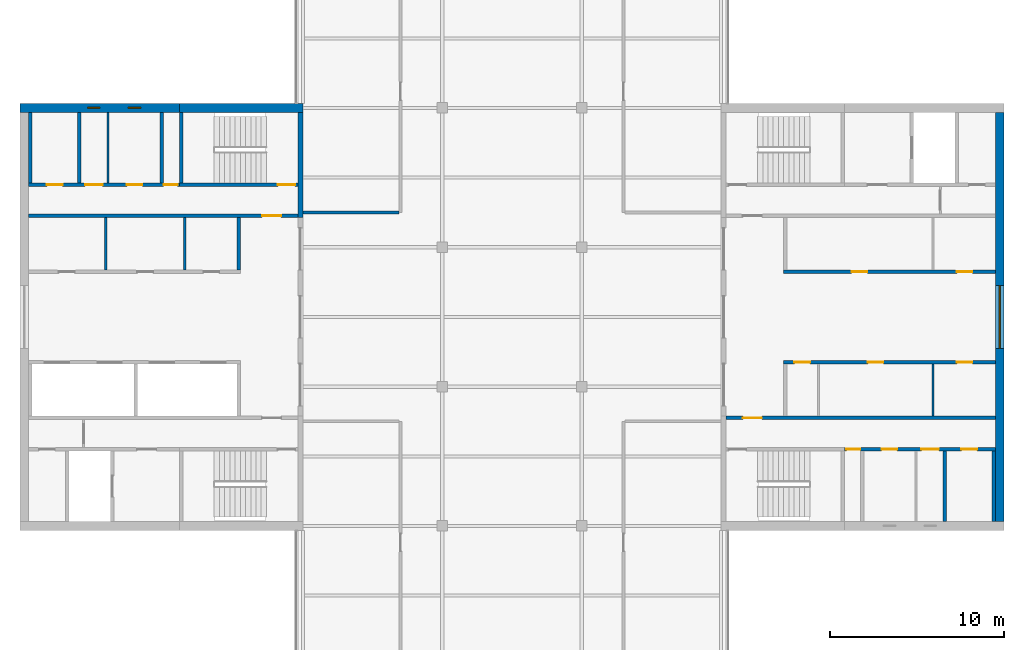
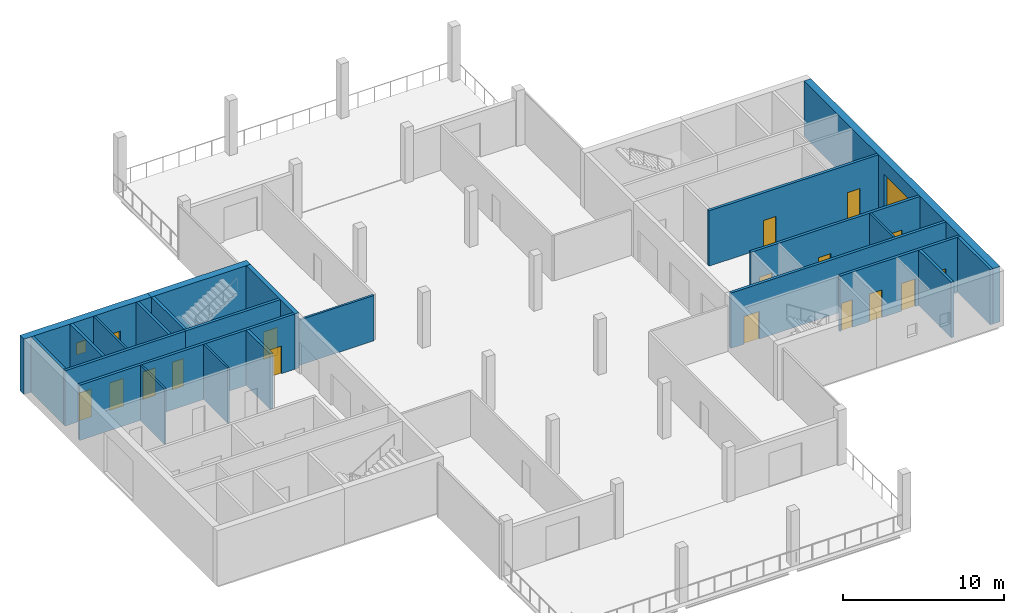
# One storey, part 9 of 12: 23 walls, 16 doors, 3 windows, 19 openings.
"""IFC4 building model written with IfcOpenShell, lengths in metres."""

from ifc_helpers import new_model, si_unit, direction, frame, frame_2d, origin, place, context, subcontext, project, spatial, rectangle, extrude, material, layer, layer_set, constituent, constituent_set, type_object, element, fill, save


model = new_model("IFC4")

# Units and contexts
model_context = context("Model", 3, precision=1e-05, world=origin(), true_north=direction((0.0, 1.0)))
body_context = subcontext(model_context, "Body", "Model", "MODEL_VIEW")
ifc_project = project(units=[si_unit("LENGTHUNIT", "METRE"), si_unit("AREAUNIT", "SQUARE_METRE"), si_unit("VOLUMEUNIT", "CUBIC_METRE"), si_unit("PLANEANGLEUNIT", "RADIAN"), si_unit("MASSUNIT", "GRAM", prefix="KILO")], contexts=[model_context])

# Site, building, storey
site_placement = place(None, origin())
site = spatial("IfcSite", under=ifc_project, at=site_placement, CompositionType="ELEMENT")
building_placement = place(site_placement, origin())
building = spatial("IfcBuilding", under=site, at=building_placement, Name="Crosswind Convention Tower", CompositionType="ELEMENT")
storey_placement = place(building_placement, frame((0.0, 0.0, 328.10009765625)))
storey = spatial("IfcBuildingStorey", under=building, at=storey_placement, Name="L71", CompositionType="ELEMENT", Elevation=328.10009765625)

# Walls
ifc_material_1 = material(Name="Concrete blockwork", Category="masonry")
ifc_layer_1 = layer(ifc_material_1, 0.199951171875)
ifc_layer_set_1 = layer_set([ifc_layer_1], Name="Blockwork partition wall 200")
wall_type_1 = type_object("IfcWallType", Name="Blockwork partition wall 200", PredefinedType="PARTITIONING", material=ifc_layer_set_1)
wall_1_placement = place(storey_placement, frame((104.89990234375, 111.75, 0.0), z_axis=(0.0, 0.0, 1.0), x_axis=(0.0, -1.0, 0.0)))
element("IfcWall", 1, at=wall_1_placement, inside=storey, type_object=wall_type_1, Name="Wall MRSE W L71", PredefinedType="PARTITIONING", context=body_context, shape_type="SweptSolid", body=[
    extrude(rectangle(XDim=4.050048828125, YDim=0.199951171875, at=frame_2d((2.02490234375, 0.0))), origin(), (0.0, 0.0, 1.0), 4.199951171875),
])
ifc_material_2 = material(Name="Concrete C50/60", Category="concrete")
ifc_layer_2 = layer(ifc_material_2, 0.300048828125)
ifc_layer_set_2 = layer_set([ifc_layer_2], Name="Concrete C50/60")
wall_type_2 = type_object("IfcWallType", Name="Concrete inner core wall 300", PredefinedType="SHEAR", material=ifc_layer_set_2)
wall_2_placement = place(storey_placement, frame((112.85009765625, 111.75, 0.0), z_axis=(0.0, 0.0, 1.0), x_axis=(0.0, -1.0, 0.0)))
element("IfcWall", 2, at=wall_2_placement, inside=storey, type_object=wall_type_2, Name="Wall EM W L71", PredefinedType="SHEAR", context=body_context, shape_type="SweptSolid", body=[
    extrude(rectangle(XDim=6.050048828125, YDim=0.300048828125, at=frame_2d((3.02490234375, 0.0))), origin(), (0.0, 0.0, 1.0), 4.199951171875),
])

# Wall, openings, doors
ifc_layer_3 = layer(ifc_material_2, 0.199951171875)
ifc_layer_set_3 = layer_set([ifc_layer_3], Name="Concrete C50/60")
wall_type_3 = type_object("IfcWallType", Name="Concrete shaft and stair wall 200", PredefinedType="SHEAR", material=ifc_layer_set_3)
wall_3_placement = place(storey_placement, frame((140.60009765625, 102.60009765625, 0.0), z_axis=(0.0, 0.0, 1.0), x_axis=(1.0, 0.0, 0.0)))
wall_3 = element("IfcWall", 3, at=wall_3_placement, inside=storey, type_object=wall_type_3, Name="Wall RPFRONT E L71", PredefinedType="SHEAR", context=body_context, shape_type="SweptSolid", body=[
    extrude(rectangle(XDim=12.14990234375, YDim=0.199951171875, at=frame_2d((6.074951171875, 0.0))), origin(), (0.0, 0.0, 1.0), 4.199951171875),
])
opening_1_placement = place(wall_3_placement, frame((3.9013671875, 0.0, 0.0)))
opening_1 = element("IfcOpeningElement", 4, at=opening_1_placement, cuts=wall_3, Name="Opening D106", PredefinedType="OPENING", context=body_context, shape_type="SweptSolid", body=[
    extrude(rectangle(XDim=0.89990234375, YDim=2.10009765625, at=frame_2d((0.449951171875, 1.050048828125))), frame((0.0, 0.10986328125, 0.0), z_axis=(0.0, -1.0, 0.0), x_axis=(1.0, 0.0, 0.0)), (0.0, 0.0, 1.0), 0.219970703125),
])
opening_2_placement = place(wall_3_placement, frame((9.938720703125, 0.0, 0.0)))
opening_2 = element("IfcOpeningElement", 5, at=opening_2_placement, cuts=wall_3, Name="Opening D106", PredefinedType="OPENING", context=body_context, shape_type="SweptSolid", body=[
    extrude(rectangle(XDim=0.89990234375, YDim=2.10009765625, at=frame_2d((0.449951171875, 1.050048828125))), frame((0.0, 0.10986328125, 0.0), z_axis=(0.0, -1.0, 0.0), x_axis=(1.0, 0.0, 0.0)), (0.0, 0.0, 1.0), 0.219970703125),
])
ifc_material_3 = material(Name="Timber door", Category="wood")
door_type_1 = type_object("IfcDoorType", Name="Single leaf door 900x2100", OperationType="NOTDEFINED", PredefinedType="DOOR", material=ifc_material_3)
door_1_placement = place(opening_1_placement, origin())
door_1 = element("IfcDoor", 6, at=door_1_placement, inside=storey, type_object=door_type_1, Name="Door to telecoms room L71", ObjectType="D106", OperationType="SINGLE_SWING_RIGHT", OverallHeight=2.10009765625, OverallWidth=0.89990234375, PredefinedType="DOOR", context=body_context, shape_type="SweptSolid", body=[
    extrude(rectangle(XDim=0.89990234375, YDim=2.10009765625, at=frame_2d((0.449951171875, 1.050048828125))), frame((0.0, 0.02490234375, 0.0), z_axis=(0.0, -1.0, 0.0), x_axis=(1.0, 0.0, 0.0)), (0.0, 0.0, 1.0), 0.050048828125),
])
fill(opening_1, door_1)
door_2_placement = place(opening_2_placement, origin())
door_2 = element("IfcDoor", 7, at=door_2_placement, inside=storey, type_object=door_type_1, Name="Door to storeroom L71", ObjectType="D106", OperationType="SINGLE_SWING_RIGHT", OverallHeight=2.10009765625, OverallWidth=0.89990234375, PredefinedType="DOOR", context=body_context, shape_type="SweptSolid", body=[
    extrude(rectangle(XDim=0.89990234375, YDim=2.10009765625, at=frame_2d((0.449951171875, 1.050048828125))), frame((0.0, 0.02490234375, 0.0), z_axis=(0.0, -1.0, 0.0), x_axis=(1.0, 0.0, 0.0)), (0.0, 0.0, 1.0), 0.050048828125),
])
fill(opening_2, door_2)

wall_4_placement = place(storey_placement, frame((140.60009765625, 97.39990234375, 0.0), z_axis=(0.0, 0.0, 1.0), x_axis=(1.0, 0.0, 0.0)))
wall_4 = element("IfcWall", 8, at=wall_4_placement, inside=storey, type_object=wall_type_3, Name="Wall RMFRONT E L71", PredefinedType="SHEAR", context=body_context, shape_type="SweptSolid", body=[
    extrude(rectangle(XDim=12.14990234375, YDim=0.199951171875, at=frame_2d((6.074951171875, 0.0))), origin(), (0.0, 0.0, 1.0), 4.199951171875),
])
opening_3_placement = place(wall_4_placement, frame((0.614990234375, 0.0, 0.0)))
opening_3 = element("IfcOpeningElement", 9, at=opening_3_placement, cuts=wall_4, Name="Opening D106", PredefinedType="OPENING", context=body_context, shape_type="SweptSolid", body=[
    extrude(rectangle(XDim=0.89990234375, YDim=2.10009765625, at=frame_2d((0.449951171875, 1.050048828125))), frame((0.0, 0.10986328125, 0.0), z_axis=(0.0, -1.0, 0.0), x_axis=(1.0, 0.0, 0.0)), (0.0, 0.0, 1.0), 0.219970703125),
])
opening_4_placement = place(wall_4_placement, frame((4.828857421875, 0.0, 0.0)))
opening_4 = element("IfcOpeningElement", 10, at=opening_4_placement, cuts=wall_4, Name="Opening D106", PredefinedType="OPENING", context=body_context, shape_type="SweptSolid", body=[
    extrude(rectangle(XDim=0.89990234375, YDim=2.10009765625, at=frame_2d((0.449951171875, 1.050048828125))), frame((0.0, 0.10986328125, 0.0), z_axis=(0.0, -1.0, 0.0), x_axis=(1.0, 0.0, 0.0)), (0.0, 0.0, 1.0), 0.219970703125),
])
opening_5_placement = place(wall_4_placement, frame((9.938720703125, 0.0, 0.0)))
opening_5 = element("IfcOpeningElement", 11, at=opening_5_placement, cuts=wall_4, Name="Opening D106", PredefinedType="OPENING", context=body_context, shape_type="SweptSolid", body=[
    extrude(rectangle(XDim=0.89990234375, YDim=2.10009765625, at=frame_2d((0.449951171875, 1.050048828125))), frame((0.0, 0.10986328125, 0.0), z_axis=(0.0, -1.0, 0.0), x_axis=(1.0, 0.0, 0.0)), (0.0, 0.0, 1.0), 0.219970703125),
])
door_3_placement = place(opening_3_placement, frame((0.89990234375, 0.0, 0.0), z_axis=(0.0, 0.0, 1.0), x_axis=(-1.0, 0.0, 0.0)))
door_3 = element("IfcDoor", 12, at=door_3_placement, inside=storey, type_object=door_type_1, Name="Door to storeroom L71", ObjectType="D106", OperationType="SINGLE_SWING_LEFT", OverallHeight=2.10009765625, OverallWidth=0.89990234375, PredefinedType="DOOR", context=body_context, shape_type="SweptSolid", body=[
    extrude(rectangle(XDim=0.89990234375, YDim=2.10009765625, at=frame_2d((0.449951171875, 1.050048828125))), frame((0.0, 0.02490234375, 0.0), z_axis=(0.0, -1.0, 0.0), x_axis=(1.0, 0.0, 0.0)), (0.0, 0.0, 1.0), 0.050048828125),
])
fill(opening_3, door_3)
door_4_placement = place(opening_4_placement, frame((0.89990234375, 0.0, 0.0), z_axis=(0.0, 0.0, 1.0), x_axis=(-1.0, 0.0, 0.0)))
door_4 = element("IfcDoor", 13, at=door_4_placement, inside=storey, type_object=door_type_1, Name="Door to tenant services room L71", ObjectType="D106", OperationType="SINGLE_SWING_LEFT", OverallHeight=2.10009765625, OverallWidth=0.89990234375, PredefinedType="DOOR", context=body_context, shape_type="SweptSolid", body=[
    extrude(rectangle(XDim=0.89990234375, YDim=2.10009765625, at=frame_2d((0.449951171875, 1.050048828125))), frame((0.0, 0.02490234375, 0.0), z_axis=(0.0, -1.0, 0.0), x_axis=(1.0, 0.0, 0.0)), (0.0, 0.0, 1.0), 0.050048828125),
])
fill(opening_4, door_4)
door_5_placement = place(opening_5_placement, frame((0.89990234375, 0.0, 0.0), z_axis=(0.0, 0.0, 1.0), x_axis=(-1.0, 0.0, 0.0)))
door_5 = element("IfcDoor", 14, at=door_5_placement, inside=storey, type_object=door_type_1, Name="Door to copy and print room L71", ObjectType="D106", OperationType="SINGLE_SWING_LEFT", OverallHeight=2.10009765625, OverallWidth=0.89990234375, PredefinedType="DOOR", context=body_context, shape_type="SweptSolid", body=[
    extrude(rectangle(XDim=0.89990234375, YDim=2.10009765625, at=frame_2d((0.449951171875, 1.050048828125))), frame((0.0, 0.02490234375, 0.0), z_axis=(0.0, -1.0, 0.0), x_axis=(1.0, 0.0, 0.0)), (0.0, 0.0, 1.0), 0.050048828125),
])
fill(opening_5, door_5)

# Wall, opening, door
wall_5_placement = place(storey_placement, frame((137.300048828125, 94.199951171875, 0.0), z_axis=(0.0, 0.0, 1.0), x_axis=(1.0, 0.0, 0.0)))
wall_5 = element("IfcWall", 15, at=wall_5_placement, inside=storey, type_object=wall_type_3, Name="Wall HM E L71", PredefinedType="SHEAR", context=body_context, shape_type="SweptSolid", body=[
    extrude(rectangle(XDim=15.449951171875, YDim=0.199951171875, at=frame_2d((7.72509765625, 0.0))), origin(), (0.0, 0.0, 1.0), 4.199951171875),
])
opening_6_placement = place(wall_5_placement, frame((0.949951171875, 0.0, 0.0)))
opening_6 = element("IfcOpeningElement", 16, at=opening_6_placement, cuts=wall_5, Name="Opening D104", PredefinedType="OPENING", context=body_context, shape_type="SweptSolid", body=[
    extrude(rectangle(XDim=1.10009765625, YDim=2.10009765625, at=frame_2d((0.550048828125, 1.050048828125))), frame((0.0, 0.10986328125, 0.0), z_axis=(0.0, -1.0, 0.0), x_axis=(1.0, 0.0, 0.0)), (0.0, 0.0, 1.0), 0.219970703125),
])
ifc_material_4 = material(Name="Steel fire door", Category="steel")
door_type_2 = type_object("IfcDoorType", Name="Fire-rated single door 1100x2100", OperationType="NOTDEFINED", PredefinedType="DOOR", material=ifc_material_4)
door_6_placement = place(opening_6_placement, origin())
door_6 = element("IfcDoor", 17, at=door_6_placement, inside=storey, type_object=door_type_2, Name="Corridor door L71", ObjectType="D104", OperationType="SINGLE_SWING_LEFT", OverallHeight=2.10009765625, OverallWidth=1.10009765625, PredefinedType="DOOR", context=body_context, shape_type="SweptSolid", body=[
    extrude(rectangle(XDim=1.10009765625, YDim=2.10009765625, at=frame_2d((0.550048828125, 1.050048828125))), frame((0.0, 0.02490234375, 0.0), z_axis=(0.0, -1.0, 0.0), x_axis=(1.0, 0.0, 0.0)), (0.0, 0.0, 1.0), 0.050048828125),
])
fill(opening_6, door_6)

# Walls
for number, where, z_axis, x_axis, name in (
    (18, (149.85009765625, 88.25, 0.0), (0.0, 0.0, 1.0), (0.0, 1.0, 0.0), "Wall MFSW E L71"),
    (19, (152.64990234375, 88.25, 0.0), (0.0, 0.0, 1.0), (0.0, 1.0, 0.0), "Wall MFSE E L71"),
):
    element("IfcWall", number, at=place(storey_placement, frame(where, z_axis=z_axis, x_axis=x_axis)), inside=storey, type_object=wall_type_3, Name=name, PredefinedType="SHEAR", context=body_context, shape_type="SweptSolid", body=[
        extrude(rectangle(XDim=4.050048828125, YDim=0.199951171875, at=frame_2d((2.02490234375, 0.0))), origin(), (0.0, 0.0, 1.0), 4.199951171875),
    ])

# Wall, openings, doors
wall_6_placement = place(storey_placement, frame((144.10009765625, 92.39990234375, 0.0), z_axis=(0.0, 0.0, 1.0), x_axis=(1.0, 0.0, 0.0)))
wall_6 = element("IfcWall", 20, at=wall_6_placement, inside=storey, type_object=wall_type_3, Name="Wall MCX E L71", PredefinedType="SHEAR", context=body_context, shape_type="SweptSolid", body=[
    extrude(rectangle(XDim=8.64990234375, YDim=0.199951171875, at=frame_2d((4.324951171875, 0.0))), origin(), (0.0, 0.0, 1.0), 4.199951171875),
])
opening_7_placement = place(wall_6_placement, frame((0.10009765625, 0.0, 0.0)))
opening_7 = element("IfcOpeningElement", 21, at=opening_7_placement, cuts=wall_6, Name="Opening D105", PredefinedType="OPENING", context=body_context, shape_type="SweptSolid", body=[
    extrude(rectangle(XDim=0.800048828125, YDim=2.10009765625, at=frame_2d((0.39990234375, 1.050048828125))), frame((0.0, 0.10986328125, 0.0), z_axis=(0.0, -1.0, 0.0), x_axis=(1.0, 0.0, 0.0)), (0.0, 0.0, 1.0), 0.219970703125),
])
opening_8_placement = place(wall_6_placement, frame((2.120361328125, 0.0, 0.0)))
opening_8 = element("IfcOpeningElement", 22, at=opening_8_placement, cuts=wall_6, Name="Opening D106", PredefinedType="OPENING", context=body_context, shape_type="SweptSolid", body=[
    extrude(rectangle(XDim=0.89990234375, YDim=2.10009765625, at=frame_2d((0.449951171875, 1.050048828125))), frame((0.0, 0.10986328125, 0.0), z_axis=(0.0, -1.0, 0.0), x_axis=(1.0, 0.0, 0.0)), (0.0, 0.0, 1.0), 0.219970703125),
])
opening_9_placement = place(wall_6_placement, frame((4.40771484375, 0.0, 0.0)))
opening_9 = element("IfcOpeningElement", 23, at=opening_9_placement, cuts=wall_6, Name="Opening D103", PredefinedType="OPENING", context=body_context, shape_type="SweptSolid", body=[
    extrude(rectangle(XDim=1.0, YDim=2.10009765625, at=frame_2d((0.5, 1.050048828125))), frame((0.0, 0.10986328125, 0.0), z_axis=(0.0, -1.0, 0.0), x_axis=(1.0, 0.0, 0.0)), (0.0, 0.0, 1.0), 0.219970703125),
])
opening_10_placement = place(wall_6_placement, frame((6.699951171875, 0.0, 0.0)))
opening_10 = element("IfcOpeningElement", 24, at=opening_10_placement, cuts=wall_6, Name="Opening D106", PredefinedType="OPENING", context=body_context, shape_type="SweptSolid", body=[
    extrude(rectangle(XDim=0.89990234375, YDim=2.10009765625, at=frame_2d((0.449951171875, 1.050048828125))), frame((0.0, 0.10986328125, 0.0), z_axis=(0.0, -1.0, 0.0), x_axis=(1.0, 0.0, 0.0)), (0.0, 0.0, 1.0), 0.219970703125),
])
door_type_3 = type_object("IfcDoorType", Name="Fire-rated single door 1000x2100", OperationType="NOTDEFINED", PredefinedType="DOOR", material=ifc_material_4)
door_7_placement = place(opening_9_placement, frame((1.0, 0.0, 0.0), z_axis=(0.0, 0.0, 1.0), x_axis=(-1.0, 0.0, 0.0)))
door_7 = element("IfcDoor", 25, at=door_7_placement, inside=storey, type_object=door_type_3, Name="Door to accessible wc L71", ObjectType="D103", OperationType="SINGLE_SWING_LEFT", OverallHeight=2.10009765625, OverallWidth=1.0, PredefinedType="DOOR", context=body_context, shape_type="SweptSolid", body=[
    extrude(rectangle(XDim=1.0, YDim=2.10009765625, at=frame_2d((0.5, 1.050048828125))), frame((0.0, 0.02490234375, 0.0), z_axis=(0.0, -1.0, 0.0), x_axis=(1.0, 0.0, 0.0)), (0.0, 0.0, 1.0), 0.050048828125),
])
fill(opening_9, door_7)
door_type_4 = type_object("IfcDoorType", Name="Riser access door 800x2100", OperationType="NOTDEFINED", PredefinedType="DOOR", material=ifc_material_4)
door_8_placement = place(opening_7_placement, frame((0.800048828125, 0.0, 0.0), z_axis=(0.0, 0.0, 1.0), x_axis=(-1.0, 0.0, 0.0)))
door_8 = element("IfcDoor", 26, at=door_8_placement, inside=storey, type_object=door_type_4, Name="Riser door L71", ObjectType="D105", OperationType="SINGLE_SWING_LEFT", OverallHeight=2.10009765625, OverallWidth=0.800048828125, PredefinedType="DOOR", context=body_context, shape_type="SweptSolid", body=[
    extrude(rectangle(XDim=0.800048828125, YDim=2.10009765625, at=frame_2d((0.39990234375, 1.050048828125))), frame((0.0, 0.02490234375, 0.0), z_axis=(0.0, -1.0, 0.0), x_axis=(1.0, 0.0, 0.0)), (0.0, 0.0, 1.0), 0.050048828125),
])
fill(opening_7, door_8)
door_9_placement = place(opening_8_placement, frame((0.89990234375, 0.0, 0.0), z_axis=(0.0, 0.0, 1.0), x_axis=(-1.0, 0.0, 0.0)))
door_9 = element("IfcDoor", 27, at=door_9_placement, inside=storey, type_object=door_type_1, Name="Door to wc L71", ObjectType="D106", OperationType="SINGLE_SWING_LEFT", OverallHeight=2.10009765625, OverallWidth=0.89990234375, PredefinedType="DOOR", context=body_context, shape_type="SweptSolid", body=[
    extrude(rectangle(XDim=0.89990234375, YDim=2.10009765625, at=frame_2d((0.449951171875, 1.050048828125))), frame((0.0, 0.02490234375, 0.0), z_axis=(0.0, -1.0, 0.0), x_axis=(1.0, 0.0, 0.0)), (0.0, 0.0, 1.0), 0.050048828125),
])
fill(opening_8, door_9)
door_10_placement = place(opening_10_placement, frame((0.89990234375, 0.0, 0.0), z_axis=(0.0, 0.0, 1.0), x_axis=(-1.0, 0.0, 0.0)))
door_10 = element("IfcDoor", 28, at=door_10_placement, inside=storey, type_object=door_type_1, Name="Door to accessible wc L71", ObjectType="D106", OperationType="SINGLE_SWING_LEFT", OverallHeight=2.10009765625, OverallWidth=0.89990234375, PredefinedType="DOOR", context=body_context, shape_type="SweptSolid", body=[
    extrude(rectangle(XDim=0.89990234375, YDim=2.10009765625, at=frame_2d((0.449951171875, 1.050048828125))), frame((0.0, 0.02490234375, 0.0), z_axis=(0.0, -1.0, 0.0), x_axis=(1.0, 0.0, 0.0)), (0.0, 0.0, 1.0), 0.050048828125),
])
fill(opening_10, door_10)

# Wall
wall_7_placement = place(storey_placement, frame((109.300048828125, 105.699951171875, 0.0), z_axis=(0.0, 0.0, 1.0), x_axis=(0.0, -1.0, 0.0)))
element("IfcWall", 29, at=wall_7_placement, inside=storey, type_object=wall_type_3, Name="Wall RMEND W L71", PredefinedType="SHEAR", context=body_context, shape_type="SweptSolid", body=[
    extrude(rectangle(XDim=3.0, YDim=0.199951171875, at=frame_2d((1.5, 0.0))), origin(), (0.0, 0.0, 1.0), 4.199951171875),
])

# Wall, opening, door
wall_8_placement = place(storey_placement, frame((112.699951171875, 105.800048828125, 0.0), z_axis=(0.0, 0.0, 1.0), x_axis=(-1.0, 0.0, 0.0)))
wall_8 = element("IfcWall", 30, at=wall_8_placement, inside=storey, type_object=wall_type_3, Name="Wall HM W L71", PredefinedType="SHEAR", context=body_context, shape_type="SweptSolid", body=[
    extrude(rectangle(XDim=15.449951171875, YDim=0.199951171875, at=frame_2d((7.72509765625, 0.0))), origin(), (0.0, 0.0, 1.0), 4.199951171875),
])
opening_11_placement = place(wall_8_placement, frame((0.949951171875, 0.0, 0.0)))
opening_11 = element("IfcOpeningElement", 31, at=opening_11_placement, cuts=wall_8, Name="Opening D104", PredefinedType="OPENING", context=body_context, shape_type="SweptSolid", body=[
    extrude(rectangle(XDim=1.10009765625, YDim=2.10009765625, at=frame_2d((0.550048828125, 1.050048828125))), frame((0.0, 0.10986328125, 0.0), z_axis=(0.0, -1.0, 0.0), x_axis=(1.0, 0.0, 0.0)), (0.0, 0.0, 1.0), 0.219970703125),
])
door_11_placement = place(opening_11_placement, origin())
door_11 = element("IfcDoor", 32, at=door_11_placement, inside=storey, type_object=door_type_2, Name="Corridor door L71", ObjectType="D104", OperationType="SINGLE_SWING_LEFT", OverallHeight=2.10009765625, OverallWidth=1.10009765625, PredefinedType="DOOR", context=body_context, shape_type="SweptSolid", body=[
    extrude(rectangle(XDim=1.10009765625, YDim=2.10009765625, at=frame_2d((0.550048828125, 1.050048828125))), frame((0.0, 0.02490234375, 0.0), z_axis=(0.0, -1.0, 0.0), x_axis=(1.0, 0.0, 0.0)), (0.0, 0.0, 1.0), 0.050048828125),
])
fill(opening_11, door_11)

# Walls
for number, where, z_axis, x_axis, name in (
    (33, (106.0, 111.75, 0.0), (0.0, 0.0, 1.0), (0.0, -1.0, 0.0), "Wall MSE W L71"),
    (34, (100.14990234375, 111.75, 0.0), (0.0, 0.0, 1.0), (0.0, -1.0, 0.0), "Wall MFSW W L71"),
    (35, (97.35009765625, 111.75, 0.0), (0.0, 0.0, 1.0), (0.0, -1.0, 0.0), "Wall MFSE W L71"),
):
    element("IfcWall", number, at=place(storey_placement, frame(where, z_axis=z_axis, x_axis=x_axis)), inside=storey, type_object=wall_type_3, Name=name, PredefinedType="SHEAR", context=body_context, shape_type="SweptSolid", body=[
        extrude(rectangle(XDim=4.050048828125, YDim=0.199951171875, at=frame_2d((2.02490234375, 0.0))), origin(), (0.0, 0.0, 1.0), 4.199951171875),
    ])

# Wall, opening, door
wall_9_placement = place(storey_placement, frame((112.699951171875, 107.60009765625, 0.0), z_axis=(0.0, 0.0, 1.0), x_axis=(-1.0, 0.0, 0.0)))
wall_9 = element("IfcWall", 36, at=wall_9_placement, inside=storey, type_object=wall_type_3, Name="Wall MCW W L71", PredefinedType="SHEAR", context=body_context, shape_type="SweptSolid", body=[
    extrude(rectangle(XDim=6.800048828125, YDim=0.199951171875, at=frame_2d((3.39990234375, 0.0))), origin(), (0.0, 0.0, 1.0), 4.199951171875),
])
opening_12_placement = place(wall_9_placement, frame((0.14990234375, 0.0, 0.0)))
opening_12 = element("IfcOpeningElement", 37, at=opening_12_placement, cuts=wall_9, Name="Opening D103", PredefinedType="OPENING", context=body_context, shape_type="SweptSolid", body=[
    extrude(rectangle(XDim=1.0, YDim=2.10009765625, at=frame_2d((0.5, 1.050048828125))), frame((0.0, 0.10986328125, 0.0), z_axis=(0.0, -1.0, 0.0), x_axis=(1.0, 0.0, 0.0)), (0.0, 0.0, 1.0), 0.219970703125),
])
door_12_placement = place(opening_12_placement, frame((1.0, 0.0, 0.0), z_axis=(0.0, 0.0, 1.0), x_axis=(-1.0, 0.0, 0.0)))
door_12 = element("IfcDoor", 38, at=door_12_placement, inside=storey, type_object=door_type_3, Name="Stair ST4 door L71", ObjectType="D103", OperationType="SINGLE_SWING_RIGHT", OverallHeight=2.10009765625, OverallWidth=1.0, PredefinedType="DOOR", context=body_context, shape_type="SweptSolid", body=[
    extrude(rectangle(XDim=1.0, YDim=2.10009765625, at=frame_2d((0.5, 1.050048828125))), frame((0.0, 0.02490234375, 0.0), z_axis=(0.0, -1.0, 0.0), x_axis=(1.0, 0.0, 0.0)), (0.0, 0.0, 1.0), 0.050048828125),
])
fill(opening_12, door_12)

# Wall, openings, doors
wall_10_placement = place(storey_placement, frame((105.89990234375, 107.60009765625, 0.0), z_axis=(0.0, 0.0, 1.0), x_axis=(-1.0, 0.0, 0.0)))
wall_10 = element("IfcWall", 39, at=wall_10_placement, inside=storey, type_object=wall_type_3, Name="Wall MCX W L71", PredefinedType="SHEAR", context=body_context, shape_type="SweptSolid", body=[
    extrude(rectangle(XDim=8.64990234375, YDim=0.199951171875, at=frame_2d((4.324951171875, 0.0))), origin(), (0.0, 0.0, 1.0), 4.199951171875),
])
opening_13_placement = place(wall_10_placement, frame((0.10009765625, 0.0, 0.0)))
opening_13 = element("IfcOpeningElement", 40, at=opening_13_placement, cuts=wall_10, Name="Opening D105", PredefinedType="OPENING", context=body_context, shape_type="SweptSolid", body=[
    extrude(rectangle(XDim=0.800048828125, YDim=2.10009765625, at=frame_2d((0.39990234375, 1.050048828125))), frame((0.0, 0.10986328125, 0.0), z_axis=(0.0, -1.0, 0.0), x_axis=(1.0, 0.0, 0.0)), (0.0, 0.0, 1.0), 0.219970703125),
])
opening_14_placement = place(wall_10_placement, frame((2.120361328125, 0.0, 0.0)))
opening_14 = element("IfcOpeningElement", 41, at=opening_14_placement, cuts=wall_10, Name="Opening D106", PredefinedType="OPENING", context=body_context, shape_type="SweptSolid", body=[
    extrude(rectangle(XDim=0.89990234375, YDim=2.10009765625, at=frame_2d((0.449951171875, 1.050048828125))), frame((0.0, 0.10986328125, 0.0), z_axis=(0.0, -1.0, 0.0), x_axis=(1.0, 0.0, 0.0)), (0.0, 0.0, 1.0), 0.219970703125),
])
opening_15_placement = place(wall_10_placement, frame((4.40771484375, 0.0, 0.0)))
opening_15 = element("IfcOpeningElement", 42, at=opening_15_placement, cuts=wall_10, Name="Opening D103", PredefinedType="OPENING", context=body_context, shape_type="SweptSolid", body=[
    extrude(rectangle(XDim=1.0, YDim=2.10009765625, at=frame_2d((0.5, 1.050048828125))), frame((0.0, 0.10986328125, 0.0), z_axis=(0.0, -1.0, 0.0), x_axis=(1.0, 0.0, 0.0)), (0.0, 0.0, 1.0), 0.219970703125),
])
opening_16_placement = place(wall_10_placement, frame((6.699951171875, 0.0, 0.0)))
opening_16 = element("IfcOpeningElement", 43, at=opening_16_placement, cuts=wall_10, Name="Opening D106", PredefinedType="OPENING", context=body_context, shape_type="SweptSolid", body=[
    extrude(rectangle(XDim=0.89990234375, YDim=2.10009765625, at=frame_2d((0.449951171875, 1.050048828125))), frame((0.0, 0.10986328125, 0.0), z_axis=(0.0, -1.0, 0.0), x_axis=(1.0, 0.0, 0.0)), (0.0, 0.0, 1.0), 0.219970703125),
])
door_13_placement = place(opening_15_placement, frame((1.0, 0.0, 0.0), z_axis=(0.0, 0.0, 1.0), x_axis=(-1.0, 0.0, 0.0)))
door_13 = element("IfcDoor", 44, at=door_13_placement, inside=storey, type_object=door_type_3, Name="Door to accessible wc L71", ObjectType="D103", OperationType="SINGLE_SWING_LEFT", OverallHeight=2.10009765625, OverallWidth=1.0, PredefinedType="DOOR", context=body_context, shape_type="SweptSolid", body=[
    extrude(rectangle(XDim=1.0, YDim=2.10009765625, at=frame_2d((0.5, 1.050048828125))), frame((0.0, 0.02490234375, 0.0), z_axis=(0.0, -1.0, 0.0), x_axis=(1.0, 0.0, 0.0)), (0.0, 0.0, 1.0), 0.050048828125),
])
fill(opening_15, door_13)
door_14_placement = place(opening_13_placement, frame((0.800048828125, 0.0, 0.0), z_axis=(0.0, 0.0, 1.0), x_axis=(-1.0, 0.0, 0.0)))
door_14 = element("IfcDoor", 45, at=door_14_placement, inside=storey, type_object=door_type_4, Name="Riser door L71", ObjectType="D105", OperationType="SINGLE_SWING_LEFT", OverallHeight=2.10009765625, OverallWidth=0.800048828125, PredefinedType="DOOR", context=body_context, shape_type="SweptSolid", body=[
    extrude(rectangle(XDim=0.800048828125, YDim=2.10009765625, at=frame_2d((0.39990234375, 1.050048828125))), frame((0.0, 0.02490234375, 0.0), z_axis=(0.0, -1.0, 0.0), x_axis=(1.0, 0.0, 0.0)), (0.0, 0.0, 1.0), 0.050048828125),
])
fill(opening_13, door_14)
door_15_placement = place(opening_14_placement, frame((0.89990234375, 0.0, 0.0), z_axis=(0.0, 0.0, 1.0), x_axis=(-1.0, 0.0, 0.0)))
door_15 = element("IfcDoor", 46, at=door_15_placement, inside=storey, type_object=door_type_1, Name="Door to wc L71", ObjectType="D106", OperationType="SINGLE_SWING_LEFT", OverallHeight=2.10009765625, OverallWidth=0.89990234375, PredefinedType="DOOR", context=body_context, shape_type="SweptSolid", body=[
    extrude(rectangle(XDim=0.89990234375, YDim=2.10009765625, at=frame_2d((0.449951171875, 1.050048828125))), frame((0.0, 0.02490234375, 0.0), z_axis=(0.0, -1.0, 0.0), x_axis=(1.0, 0.0, 0.0)), (0.0, 0.0, 1.0), 0.050048828125),
])
fill(opening_14, door_15)
door_16_placement = place(opening_16_placement, frame((0.89990234375, 0.0, 0.0), z_axis=(0.0, 0.0, 1.0), x_axis=(-1.0, 0.0, 0.0)))
door_16 = element("IfcDoor", 47, at=door_16_placement, inside=storey, type_object=door_type_1, Name="Door to accessible wc L71", ObjectType="D106", OperationType="SINGLE_SWING_LEFT", OverallHeight=2.10009765625, OverallWidth=0.89990234375, PredefinedType="DOOR", context=body_context, shape_type="SweptSolid", body=[
    extrude(rectangle(XDim=0.89990234375, YDim=2.10009765625, at=frame_2d((0.449951171875, 1.050048828125))), frame((0.0, 0.02490234375, 0.0), z_axis=(0.0, -1.0, 0.0), x_axis=(1.0, 0.0, 0.0)), (0.0, 0.0, 1.0), 0.050048828125),
])
fill(opening_16, door_16)

# Walls
ifc_material_5 = material(Name="Gypsum plasterboard partition", Category="gypsum")
ifc_layer_4 = layer(ifc_material_5, 0.125)
ifc_layer_set_4 = layer_set([ifc_layer_4], Name="Drywall partition wall 125")
wall_type_4 = type_object("IfcWallType", Name="Drywall partition wall 125", PredefinedType="PARTITIONING", material=ifc_layer_set_4)
for number, where, z_axis, x_axis, name in (
    (48, (149.1650390625, 94.300048828125, 0.0), (0.0, 0.0, 1.0), (0.0, 1.0, 0.0), "Wall RMP2 E L71"),
    (49, (106.21240234375, 105.699951171875, 0.0), (0.0, 0.0, 1.0), (0.0, -1.0, 0.0), "Wall RMP1 W L71"),
    (50, (101.67138671875, 105.699951171875, 0.0), (0.0, 0.0, 1.0), (0.0, -1.0, 0.0), "Wall RMP2 W L71"),
):
    element("IfcWall", number, at=place(storey_placement, frame(where, z_axis=z_axis, x_axis=x_axis)), inside=storey, type_object=wall_type_4, Name=name, PredefinedType="PARTITIONING", context=body_context, shape_type="SweptSolid", body=[
        extrude(rectangle(XDim=3.0, YDim=0.125, at=frame_2d((1.5, 0.0))), origin(), (0.0, 0.0, 1.0), 4.199951171875),
    ])
wall_11_placement = place(storey_placement, frame((101.797119140625, 111.75, 0.0), z_axis=(0.0, 0.0, 1.0), x_axis=(0.0, -1.0, 0.0)))
element("IfcWall", 51, at=wall_11_placement, inside=storey, type_object=wall_type_4, Name="Wall MWP1 W L71", PredefinedType="PARTITIONING", context=body_context, shape_type="SweptSolid", body=[
    extrude(rectangle(XDim=4.050048828125, YDim=0.125, at=frame_2d((2.02490234375, 0.0))), origin(), (0.0, 0.0, 1.0), 4.199951171875),
])
ifc_material_6 = material(Name="Fire-board partition with mineral wool", Category="gypsum")
ifc_layer_5 = layer(ifc_material_6, 0.14990234375)
ifc_layer_set_5 = layer_set([ifc_layer_5], Name="TENANCY WALL 150 TWO-HOUR BOARD")
wall_type_5 = type_object("IfcWallType", Name="TENANCY WALL 150 TWO-HOUR BOARD", PredefinedType="PARTITIONING", material=ifc_layer_set_5)
wall_12_placement = place(storey_placement, frame((113.0, 106.0, 0.0), z_axis=(0.0, 0.0, 1.0), x_axis=(1.0, 0.0, 0.0)))
element("IfcWall", 52, at=wall_12_placement, inside=storey, type_object=wall_type_5, Name="Tenancy wall WT41", PredefinedType="PARTITIONING", context=body_context, shape_type="SweptSolid", body=[
    extrude(rectangle(XDim=5.52490234375, YDim=0.14990234375, at=frame_2d((2.762451171875, 0.0))), origin(), (0.0, 0.0, 1.0), 3.442626953125),
])

# Wall, opening, window
ifc_material_7 = material(Name="Concrete C60/75", Category="concrete")
ifc_constituent_1 = constituent(ifc_material_7, Name="Structure")
ifc_material_8 = material(Name="Terracotta rainscreen", Category="ceramic")
ifc_constituent_2 = constituent(ifc_material_8, Name="Facing")
ifc_constituent_set = constituent_set(constituents=[ifc_constituent_1, ifc_constituent_2], Name="Concrete C60/75, Terracotta rainscreen")
wall_type_6 = type_object("IfcWallType", Name="Terracotta rainscreen on concrete core wall 500", PredefinedType="SHEAR", material=ifc_constituent_set)
wall_13_placement = place(storey_placement, frame((153.0, 88.25, 0.0), z_axis=(0.0, 0.0, 1.0), x_axis=(0.0, 1.0, 0.0)))
wall_13 = element("IfcWall", 53, at=wall_13_placement, inside=storey, type_object=wall_type_6, Name="Wall O E L71", PredefinedType="SHEAR", context=body_context, shape_type="SweptSolid", body=[
    extrude(rectangle(XDim=23.5, YDim=0.5, at=frame_2d((11.75, 0.0))), origin(), (0.0, 0.0, 1.0), 4.199951171875),
])
opening_17_placement = place(wall_13_placement, frame((9.949951171875, 0.0, 0.14990234375)))
opening_17 = element("IfcOpeningElement", 54, at=opening_17_placement, cuts=wall_13, Name="Opening W1", PredefinedType="OPENING", context=body_context, shape_type="SweptSolid", body=[
    extrude(rectangle(XDim=3.60009765625, YDim=3.0, at=frame_2d((1.800048828125, 1.5))), frame((0.0, 0.260009765625, 0.0), z_axis=(0.0, -1.0, 0.0), x_axis=(1.0, 0.0, 0.0)), (0.0, 0.0, 1.0), 0.52001953125),
])
ifc_material_9 = material(Name="Clear laminated glass in aluminium frame", Category="aluminium")
window_type_1 = type_object("IfcWindowType", Name="Lobby end window 3600x3000", PartitioningType="SINGLE_PANEL", PredefinedType="WINDOW", material=ifc_material_9)
window_1_placement = place(opening_17_placement, origin())
window_1 = element("IfcWindow", 55, at=window_1_placement, inside=storey, type_object=window_type_1, Name="Lobby end window L71", ObjectType="W1", OverallHeight=3.0, OverallWidth=3.60009765625, PartitioningType="SINGLE_PANEL", PredefinedType="WINDOW", context=body_context, shape_type="SweptSolid", body=[
    extrude(rectangle(XDim=3.60009765625, YDim=3.0, at=frame_2d((1.800048828125, 1.5))), frame((0.0, 0.030029296875, 0.0), z_axis=(0.0, -1.0, 0.0), x_axis=(1.0, 0.0, 0.0)), (0.0, 0.0, 1.0), 0.06005859375),
])
fill(opening_17, window_1)

# Wall
wall_14_placement = place(storey_placement, frame((113.0, 112.0, 0.0), z_axis=(0.0, 0.0, 1.0), x_axis=(-1.0, 0.0, 0.0)))
element("IfcWall", 56, at=wall_14_placement, inside=storey, type_object=wall_type_6, Name="Wall S1 W L71", PredefinedType="SHEAR", context=body_context, shape_type="SweptSolid", body=[
    extrude(rectangle(XDim=7.10009765625, YDim=0.5, at=frame_2d((3.550048828125, 0.0))), origin(), (0.0, 0.0, 1.0), 4.199951171875),
])

# Wall, openings, windows
wall_15_placement = place(storey_placement, frame((105.89990234375, 112.0, 0.0), z_axis=(0.0, 0.0, 1.0), x_axis=(-1.0, 0.0, 0.0)))
wall_15 = element("IfcWall", 57, at=wall_15_placement, inside=storey, type_object=wall_type_6, Name="Wall S2 W L71", PredefinedType="SHEAR", context=body_context, shape_type="SweptSolid", body=[
    extrude(rectangle(XDim=9.14990234375, YDim=0.5, at=frame_2d((4.574951171875, 0.0))), origin(), (0.0, 0.0, 1.0), 4.199951171875),
])
opening_18_placement = place(wall_15_placement, frame((2.22021484375, 0.0, 1.5)))
opening_18 = element("IfcOpeningElement", 58, at=opening_18_placement, cuts=wall_15, Name="Opening W2", PredefinedType="OPENING", context=body_context, shape_type="SweptSolid", body=[
    extrude(rectangle(XDim=0.699951171875, YDim=0.89990234375, at=frame_2d((0.35009765625, 0.449951171875))), frame((0.0, 0.260009765625, 0.0), z_axis=(0.0, -1.0, 0.0), x_axis=(1.0, 0.0, 0.0)), (0.0, 0.0, 1.0), 0.52001953125),
])
opening_19_placement = place(wall_15_placement, frame((4.557861328125, 0.0, 1.5)))
opening_19 = element("IfcOpeningElement", 59, at=opening_19_placement, cuts=wall_15, Name="Opening W2", PredefinedType="OPENING", context=body_context, shape_type="SweptSolid", body=[
    extrude(rectangle(XDim=0.699951171875, YDim=0.89990234375, at=frame_2d((0.35009765625, 0.449951171875))), frame((0.0, 0.260009765625, 0.0), z_axis=(0.0, -1.0, 0.0), x_axis=(1.0, 0.0, 0.0)), (0.0, 0.0, 1.0), 0.52001953125),
])
ifc_material_10 = material(Name="Obscure glass in aluminium frame", Category="aluminium")
window_type_2 = type_object("IfcWindowType", Name="WC window 700x900", PartitioningType="SINGLE_PANEL", PredefinedType="WINDOW", material=ifc_material_10)
window_2_placement = place(opening_18_placement, origin())
window_2 = element("IfcWindow", 60, at=window_2_placement, inside=storey, type_object=window_type_2, Name="WC window L71", ObjectType="W2", OverallHeight=0.89990234375, OverallWidth=0.699951171875, PartitioningType="SINGLE_PANEL", PredefinedType="WINDOW", context=body_context, shape_type="SweptSolid", body=[
    extrude(rectangle(XDim=0.699951171875, YDim=0.89990234375, at=frame_2d((0.35009765625, 0.449951171875))), frame((0.0, 0.030029296875, 0.0), z_axis=(0.0, -1.0, 0.0), x_axis=(1.0, 0.0, 0.0)), (0.0, 0.0, 1.0), 0.06005859375),
])
fill(opening_18, window_2)
window_3_placement = place(opening_19_placement, origin())
window_3 = element("IfcWindow", 61, at=window_3_placement, inside=storey, type_object=window_type_2, Name="WC window L71", ObjectType="W2", OverallHeight=0.89990234375, OverallWidth=0.699951171875, PartitioningType="SINGLE_PANEL", PredefinedType="WINDOW", context=body_context, shape_type="SweptSolid", body=[
    extrude(rectangle(XDim=0.699951171875, YDim=0.89990234375, at=frame_2d((0.35009765625, 0.449951171875))), frame((0.0, 0.030029296875, 0.0), z_axis=(0.0, -1.0, 0.0), x_axis=(1.0, 0.0, 0.0)), (0.0, 0.0, 1.0), 0.06005859375),
])
fill(opening_19, window_3)

save(model, "model.ifc")
